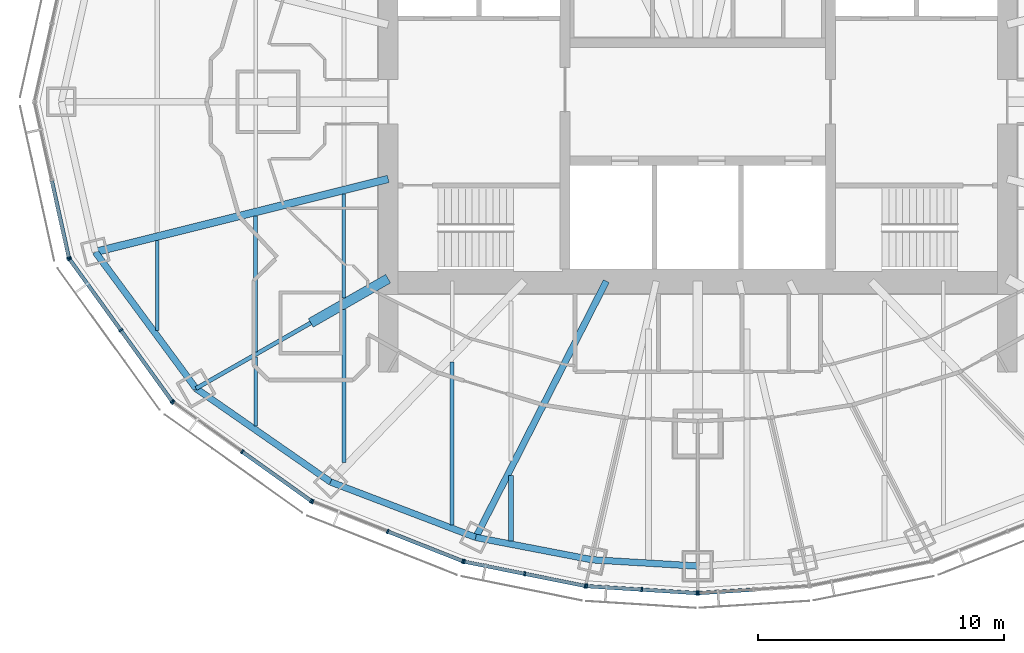
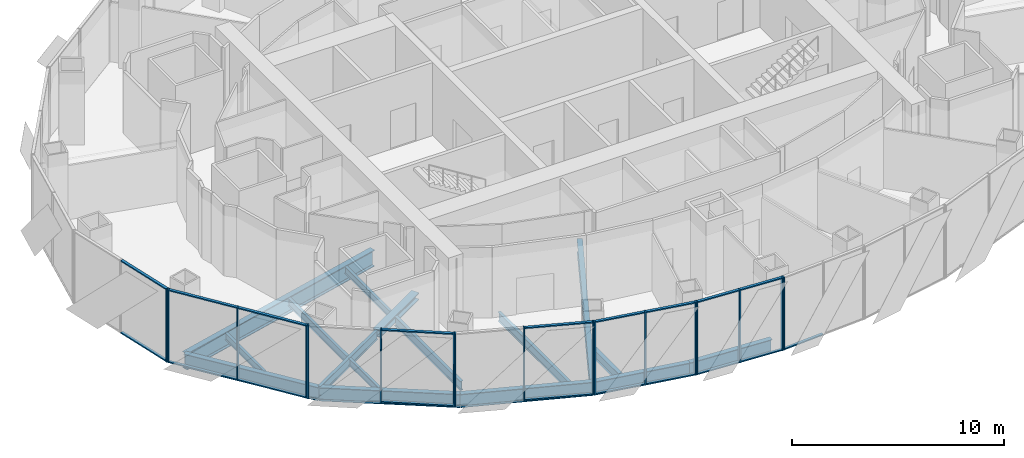
# One storey, part 2 of 19: 36 members, 16 beams, 7 elements without a shape of their own.
"""IFC4 building model written with IfcOpenShell, lengths in metres."""

from ifc_helpers import new_model, si_unit, direction, frame, origin, origin_2d, place, context, subcontext, project, spatial, rectangle, i_section, extrude, material, material_profile, profile_set, type_object, element, aggregate, save


model = new_model("IFC4")

# Units and contexts
model_context = context("Model", 3, precision=1e-05, world=origin(), true_north=direction((0.0, 1.0)))
body_context = subcontext(model_context, "Body", "Model", "MODEL_VIEW")
ifc_project = project(units=[si_unit("LENGTHUNIT", "METRE"), si_unit("AREAUNIT", "SQUARE_METRE"), si_unit("VOLUMEUNIT", "CUBIC_METRE"), si_unit("PLANEANGLEUNIT", "RADIAN"), si_unit("MASSUNIT", "GRAM", prefix="KILO")], contexts=[model_context])

# Site, building, storey
site_placement = place(None, origin())
site = spatial("IfcSite", under=ifc_project, at=site_placement, CompositionType="ELEMENT")
building_placement = place(site_placement, origin())
building = spatial("IfcBuilding", under=site, at=building_placement, Name="Lantaw Convention Tower", CompositionType="ELEMENT")
storey_placement = place(building_placement, frame((0.0, 0.0, 249.39990234375)))
storey = spatial("IfcBuildingStorey", under=building, at=storey_placement, Name="L58", CompositionType="ELEMENT", Elevation=249.39990234375)

# Beams
ifc_material_1 = material(Name="Steel ASTM A992", Category="steel")
ifc_material_profile_1 = material_profile(ifc_material_1, i_section(OverallWidth=0.2666015625, OverallDepth=0.76953125, WebThickness=0.015625, FlangeThickness=0.025390625, FilletRadius=0.0126953125, at=origin_2d()), Name="W30X132")
ifc_profile_set_1 = profile_set([ifc_material_profile_1], Name="Steel ASTM A992")
beam_type_1 = type_object("IfcBeamType", Name="Beam E W30X132", PredefinedType="SPANDREL", material=ifc_profile_set_1)
beam_1_placement = place(storey_placement, frame((-24.52197265625, -6.114013671875, -0.53466796875), z_axis=(0.593639188853, -0.804731329984, 0.0), x_axis=(0.804731329984, 0.593639188853, 0.0)))
element("IfcBeam", 1, at=beam_1_placement, inside=storey, type_object=beam_type_1, Name="Edge beam 14", PredefinedType="SPANDREL", context=body_context, shape_type="SweptSolid", body=[
    extrude(i_section(OverallWidth=0.2666015625, OverallDepth=0.76953125, WebThickness=0.015625, FlangeThickness=0.025390625, FilletRadius=0.0126953125, at=origin_2d()), origin(), (0.0, 0.0, 1.0), 6.904541015625),
])
beam_2_placement = place(storey_placement, frame((-20.423095703125, -11.67041015625, -0.53466796875), z_axis=(0.82135329406, -0.570419815869, 0.0), x_axis=(0.570419815869, 0.82135329406, 0.0)))
element("IfcBeam", 2, at=beam_2_placement, inside=storey, type_object=beam_type_1, Name="Edge beam 15", PredefinedType="SPANDREL", context=body_context, shape_type="SweptSolid", body=[
    extrude(i_section(OverallWidth=0.2666015625, OverallDepth=0.76953125, WebThickness=0.015625, FlangeThickness=0.025390625, FilletRadius=0.0126953125, at=origin_2d()), origin(), (0.0, 0.0, 1.0), 6.67041015625),
])
beam_3_placement = place(storey_placement, frame((-14.9443359375, -15.475341796875, -0.53466796875), z_axis=(0.934234988, -0.356658081637, 0.0), x_axis=(0.356658081637, 0.934234988, 0.0)))
element("IfcBeam", 3, at=beam_3_placement, inside=storey, type_object=beam_type_1, Name="Edge beam 16", PredefinedType="SPANDREL", context=body_context, shape_type="SweptSolid", body=[
    extrude(i_section(OverallWidth=0.2666015625, OverallDepth=0.76953125, WebThickness=0.015625, FlangeThickness=0.025390625, FilletRadius=0.0126953125, at=origin_2d()), origin(), (0.0, 0.0, 1.0), 6.32568359375),
])
beam_4_placement = place(storey_placement, frame((-9.03466796875, -17.7314453125, -0.53466796875), z_axis=(0.981972091702, -0.189025953556, 0.0), x_axis=(0.189025953556, 0.981972091702, 0.0)))
element("IfcBeam", 4, at=beam_4_placement, inside=storey, type_object=beam_type_1, Name="Edge beam 17", PredefinedType="SPANDREL", context=body_context, shape_type="SweptSolid", body=[
    extrude(i_section(OverallWidth=0.2666015625, OverallDepth=0.76953125, WebThickness=0.015625, FlangeThickness=0.025390625, FilletRadius=0.0126953125, at=origin_2d()), origin(), (0.0, 0.0, 1.0), 4.817626953125),
])
beam_5_placement = place(storey_placement, frame((-4.303955078125, -18.64208984375, -0.53466796875), z_axis=(0.998210730897, -0.059794119452, 0.0), x_axis=(0.059794119452, 0.998210730897, 0.0)))
element("IfcBeam", 5, at=beam_5_placement, inside=storey, type_object=beam_type_1, Name="Edge beam 18", PredefinedType="SPANDREL", context=body_context, shape_type="SweptSolid", body=[
    extrude(i_section(OverallWidth=0.2666015625, OverallDepth=0.76953125, WebThickness=0.015625, FlangeThickness=0.025390625, FilletRadius=0.0126953125, at=origin_2d()), origin(), (0.0, 0.0, 1.0), 4.311767578125),
])
ifc_material_profile_2 = material_profile(ifc_material_1, i_section(OverallWidth=0.1650390625, OverallDepth=0.52587890625, WebThickness=0.0087890625, FlangeThickness=0.011474609375, FilletRadius=0.0126953125, at=origin_2d()), Name="W21X44")
ifc_profile_set_2 = profile_set([ifc_material_profile_2], Name="Steel ASTM A992")
beam_type_2 = type_object("IfcBeamType", Name="Beam G W21X44", PredefinedType="BEAM", material=ifc_profile_set_2)
beam_6_placement = place(storey_placement, frame((-15.75, -9.0, -0.412841796875), z_axis=(-0.868237559289, -0.496148708192, 0.0), x_axis=(0.496148708192, -0.868237559289, 0.0)))
element("IfcBeam", 6, at=beam_6_placement, inside=storey, type_object=beam_type_2, Name="Floor girder on ray 15", PredefinedType="BEAM", context=body_context, shape_type="SweptSolid", body=[
    extrude(i_section(OverallWidth=0.1650390625, OverallDepth=0.52587890625, WebThickness=0.0087890625, FlangeThickness=0.011474609375, FilletRadius=0.0126953125, at=origin_2d()), origin(), (0.0, 0.0, 1.0), 5.38232421875),
])
ifc_material_profile_3 = material_profile(ifc_material_1, i_section(OverallWidth=0.2666015625, OverallDepth=0.7568359375, WebThickness=0.013916015625, FlangeThickness=0.019287109375, FilletRadius=0.0126953125, at=origin_2d()), Name="W30X108")
ifc_profile_set_3 = profile_set([ifc_material_profile_3], Name="Steel ASTM A992")
beam_type_3 = type_object("IfcBeamType", Name="Beam G W30X108", PredefinedType="BEAM", material=ifc_profile_set_3)
beam_7_placement = place(storey_placement, frame((-3.719482421875, -7.300048828125, -0.5283203125), z_axis=(-0.4539988787, -0.891002254845, 0.0), x_axis=(0.891002254845, -0.4539988787, 0.0)))
element("IfcBeam", 7, at=beam_7_placement, inside=storey, type_object=beam_type_3, Name="Floor girder on ray 17", PredefinedType="BEAM", context=body_context, shape_type="SweptSolid", body=[
    extrude(i_section(OverallWidth=0.2666015625, OverallDepth=0.7568359375, WebThickness=0.013916015625, FlangeThickness=0.019287109375, FilletRadius=0.0126953125, at=origin_2d()), origin(), (0.0, 0.0, 1.0), 11.70751953125),
])
ifc_material_profile_4 = material_profile(ifc_material_1, i_section(OverallWidth=0.307373046875, OverallDepth=0.9423828125, WebThickness=0.022216796875, FlangeThickness=0.039794921875, FilletRadius=0.0126953125, at=origin_2d()), Name="W36X232")
ifc_profile_set_4 = profile_set([ifc_material_profile_4], Name="Steel ASTM A992")
beam_type_4 = type_object("IfcBeamType", Name="Beam G W36X232", PredefinedType="BEAM", material=ifc_profile_set_4)
beam_8_placement = place(storey_placement, frame((-12.60009765625, -3.1416015625, -0.62109375), z_axis=(-0.970296589314, -0.241918434119, 0.0), x_axis=(0.241918434119, -0.970296589314, 0.0)))
element("IfcBeam", 8, at=beam_8_placement, inside=storey, type_object=beam_type_4, Name="Floor girder on ray 14", PredefinedType="BEAM", context=body_context, shape_type="SweptSolid", body=[
    extrude(i_section(OverallWidth=0.307373046875, OverallDepth=0.9423828125, WebThickness=0.022216796875, FlangeThickness=0.039794921875, FilletRadius=0.0126953125, at=origin_2d()), origin(), (0.0, 0.0, 1.0), 12.286865234375),
])
ifc_material_profile_5 = material_profile(ifc_material_1, i_section(OverallWidth=0.40380859375, OverallDepth=0.406494140625, WebThickness=0.027099609375, FlangeThickness=0.043701171875, FilletRadius=0.01513671875, at=origin_2d()), Name="W14X233")
ifc_profile_set_5 = profile_set([ifc_material_profile_5], Name="Steel ASTM A992")
beam_type_5 = type_object("IfcBeamType", Name="Beam GM W14X233", PredefinedType="BEAM", material=ifc_profile_set_5)
beam_9_placement = place(storey_placement, frame((-12.60009765625, -7.199951171875, -0.35302734375), z_axis=(-0.868230718294, -0.496160679428, 0.0), x_axis=(0.496160679428, -0.868230718294, 0.0)))
element("IfcBeam", 9, at=beam_9_placement, inside=storey, type_object=beam_type_5, Name="Core link beam on ray 15", PredefinedType="BEAM", context=body_context, shape_type="SweptSolid", body=[
    extrude(i_section(OverallWidth=0.40380859375, OverallDepth=0.406494140625, WebThickness=0.027099609375, FlangeThickness=0.043701171875, FilletRadius=0.01513671875, at=origin_2d()), origin(), (0.0, 0.0, 1.0), 3.6279296875),
])
ifc_material_profile_6 = material_profile(ifc_material_1, i_section(OverallWidth=0.140380859375, OverallDepth=0.40380859375, WebThickness=0.007080078125, FlangeThickness=0.01123046875, FilletRadius=0.01025390625, at=origin_2d()), Name="W16X31")
ifc_profile_set_6 = profile_set([ifc_material_profile_6], Name="Steel ASTM A992")
beam_type_6 = type_object("IfcBeamType", Name="Beam J W16X31", PredefinedType="JOIST", material=ifc_profile_set_6)
beam_10_placement = place(storey_placement, frame((-22.0, -9.30810546875, -0.351806640625), z_axis=(0.0, 1.0, 0.0), x_axis=(-1.0, 0.0, 0.0)))
element("IfcBeam", 10, at=beam_10_placement, inside=storey, type_object=beam_type_6, Name="Floor joist", PredefinedType="JOIST", context=body_context, shape_type="SweptSolid", body=[
    extrude(i_section(OverallWidth=0.140380859375, OverallDepth=0.40380859375, WebThickness=0.007080078125, FlangeThickness=0.01123046875, FilletRadius=0.01025390625, at=origin_2d()), origin(), (0.0, 0.0, 1.0), 3.66455078125),
])
beam_11_placement = place(storey_placement, frame((-18.0, -13.19091796875, -0.351806640625), z_axis=(0.0, 1.0, 0.0), x_axis=(-1.0, 0.0, 0.0)))
element("IfcBeam", 11, at=beam_11_placement, inside=storey, type_object=beam_type_6, Name="Floor joist", PredefinedType="JOIST", context=body_context, shape_type="SweptSolid", body=[
    extrude(i_section(OverallWidth=0.140380859375, OverallDepth=0.40380859375, WebThickness=0.007080078125, FlangeThickness=0.01123046875, FilletRadius=0.01025390625, at=origin_2d()), origin(), (0.0, 0.0, 1.0), 2.81005859375),
])
beam_12_placement = place(storey_placement, frame((-14.39990234375, -7.99609375, -0.351806640625), z_axis=(0.0, 1.0, 0.0), x_axis=(-1.0, 0.0, 0.0)))
element("IfcBeam", 12, at=beam_12_placement, inside=storey, type_object=beam_type_6, Name="Floor joist", PredefinedType="JOIST", context=body_context, shape_type="SweptSolid", body=[
    extrude(i_section(OverallWidth=0.140380859375, OverallDepth=0.40380859375, WebThickness=0.007080078125, FlangeThickness=0.01123046875, FilletRadius=0.01025390625, at=origin_2d()), origin(), (0.0, 0.0, 1.0), 4.247314453125),
])
ifc_material_profile_7 = material_profile(ifc_material_1, i_section(OverallWidth=0.15234375, OverallDepth=0.449462890625, WebThickness=0.007568359375, FlangeThickness=0.0107421875, FilletRadius=0.01025390625, at=origin_2d()), Name="W18X35")
ifc_profile_set_7 = profile_set([ifc_material_profile_7], Name="Steel ASTM A992")
beam_type_7 = type_object("IfcBeamType", Name="Beam J W18X35", PredefinedType="JOIST", material=ifc_profile_set_7)
beam_13_placement = place(storey_placement, frame((-18.0, -10.190673828125, -0.374755859375), z_axis=(0.0, 1.0, 0.0), x_axis=(-1.0, 0.0, 0.0)))
element("IfcBeam", 13, at=beam_13_placement, inside=storey, type_object=beam_type_7, Name="Floor joist", PredefinedType="JOIST", context=body_context, shape_type="SweptSolid", body=[
    extrude(i_section(OverallWidth=0.15234375, OverallDepth=0.449462890625, WebThickness=0.007568359375, FlangeThickness=0.0107421875, FilletRadius=0.01025390625, at=origin_2d()), origin(), (0.0, 0.0, 1.0), 5.54443359375),
])
ifc_material_profile_8 = material_profile(ifc_material_1, i_section(OverallWidth=0.1650390625, OverallDepth=0.52587890625, WebThickness=0.0087890625, FlangeThickness=0.011474609375, FilletRadius=0.0126953125, at=origin_2d()), Name="W21X44")
ifc_profile_set_8 = profile_set([ifc_material_profile_8], Name="Steel ASTM A992")
beam_type_8 = type_object("IfcBeamType", Name="Beam J W21X44", PredefinedType="JOIST", material=ifc_profile_set_8)
beam_14_placement = place(storey_placement, frame((-14.39990234375, -14.67578125, -0.412841796875), z_axis=(0.0, 1.0, 0.0), x_axis=(-1.0, 0.0, 0.0)))
element("IfcBeam", 14, at=beam_14_placement, inside=storey, type_object=beam_type_8, Name="Floor joist", PredefinedType="JOIST", context=body_context, shape_type="SweptSolid", body=[
    extrude(i_section(OverallWidth=0.1650390625, OverallDepth=0.52587890625, WebThickness=0.0087890625, FlangeThickness=0.011474609375, FilletRadius=0.0126953125, at=origin_2d()), origin(), (0.0, 0.0, 1.0), 6.214599609375),
])
beam_15_placement = place(storey_placement, frame((-10.0, -17.22021484375, -0.412841796875), z_axis=(0.0, 1.0, 0.0), x_axis=(-1.0, 0.0, 0.0)))
element("IfcBeam", 15, at=beam_15_placement, inside=storey, type_object=beam_type_8, Name="Floor joist", PredefinedType="JOIST", context=body_context, shape_type="SweptSolid", body=[
    extrude(i_section(OverallWidth=0.1650390625, OverallDepth=0.52587890625, WebThickness=0.0087890625, FlangeThickness=0.011474609375, FilletRadius=0.0126953125, at=origin_2d()), origin(), (0.0, 0.0, 1.0), 6.629150390625),
])
ifc_material_profile_9 = material_profile(ifc_material_1, i_section(OverallWidth=0.2099609375, OverallDepth=0.535888671875, WebThickness=0.010986328125, FlangeThickness=0.017333984375, FilletRadius=0.012939453125, at=origin_2d()), Name="W21X68")
ifc_profile_set_9 = profile_set([ifc_material_profile_9], Name="Steel ASTM A992")
beam_type_9 = type_object("IfcBeamType", Name="Beam J W21X68", PredefinedType="JOIST", material=ifc_profile_set_9)
beam_16_placement = place(storey_placement, frame((-7.60009765625, -17.871826171875, -0.41796875), z_axis=(0.0, 1.0, 0.0), x_axis=(-1.0, 0.0, 0.0)))
element("IfcBeam", 16, at=beam_16_placement, inside=storey, type_object=beam_type_9, Name="Floor joist", PredefinedType="JOIST", context=body_context, shape_type="SweptSolid", body=[
    extrude(i_section(OverallWidth=0.2099609375, OverallDepth=0.535888671875, WebThickness=0.010986328125, FlangeThickness=0.017333984375, FilletRadius=0.012939453125, at=origin_2d()), origin(), (0.0, 0.0, 1.0), 2.662353515625),
])

# Curtain wall, member
ifc_material_2 = material(Name="Aluminium framed curtain wall", Category="aluminium")
curtain_wall_type = type_object("IfcCurtainWallType", Name="Office curtain wall high rise, pale aluminium", PredefinedType="USERDEFINED", material=ifc_material_2)
curtain_wall_1_placement = place(storey_placement, origin())
curtain_wall_1 = element("IfcCurtainWall", 17, at=curtain_wall_1_placement, inside=storey, type_object=curtain_wall_type, Name="Office curtain wall high rise, pale aluminium L58", ObjectType="UNITISED CURTAIN WALL", PredefinedType="USERDEFINED")
ifc_material_3 = material(Name="Aluminium 6063-T6", Category="aluminium")
ifc_material_profile_10 = material_profile(ifc_material_3, rectangle(XDim=0.179931640625, YDim=0.06494140625, at=origin_2d()), Name="CW-O2 mullion 65x180")
ifc_profile_set_10 = profile_set([ifc_material_profile_10], Name="Aluminium 6063-T6")
member_type_1 = type_object("IfcMemberType", Name="CW-O2 mullion 65x180", PredefinedType="MULLION", material=ifc_profile_set_10)
member_1_placement = place(storey_placement, frame((-25.596435546875, -6.348388671875, -0.14990234375), z_axis=(0.0, 0.0, 1.0), x_axis=(0.976417396437, 0.215891333626, 0.0)))
member_1 = element("IfcMember", 18, at=member_1_placement, type_object=member_type_1, Name="CW-O2 mullion 3", PredefinedType="MULLION", context=body_context, shape_type="SweptSolid", body=[
    extrude(rectangle(XDim=0.179931640625, YDim=0.06494140625, at=origin_2d()), origin(), (0.0, 0.0, 1.0), 4.199951171875),
])

# Curtain wall, members
curtain_wall_2_placement = place(storey_placement, origin())
curtain_wall_2 = element("IfcCurtainWall", 19, at=curtain_wall_2_placement, inside=storey, type_object=curtain_wall_type, Name="Office curtain wall high rise, pale aluminium L58", ObjectType="UNITISED CURTAIN WALL", PredefinedType="USERDEFINED")
member_2_placement = place(storey_placement, frame((-25.5703125, -6.406494140625, -0.14990234375), z_axis=(0.0, 0.0, 1.0), x_axis=(0.810919559405, 0.585157643865, 0.0)))
member_2 = element("IfcMember", 20, at=member_2_placement, type_object=member_type_1, Name="CW-O2 mullion 1", PredefinedType="MULLION", context=body_context, shape_type="SweptSolid", body=[
    extrude(rectangle(XDim=0.179931640625, YDim=0.06494140625, at=origin_2d()), origin(), (0.0, 0.0, 1.0), 4.199951171875),
])
member_3_placement = place(storey_placement, frame((-23.483642578125, -9.298095703125, -0.14990234375), z_axis=(0.0, 0.0, 1.0), x_axis=(0.810919559405, 0.585157643865, 0.0)))
member_3 = element("IfcMember", 21, at=member_3_placement, type_object=member_type_1, Name="CW-O2 mullion 2", PredefinedType="MULLION", context=body_context, shape_type="SweptSolid", body=[
    extrude(rectangle(XDim=0.179931640625, YDim=0.06494140625, at=origin_2d()), origin(), (0.0, 0.0, 1.0), 4.199951171875),
])
member_4_placement = place(storey_placement, frame((-21.397216796875, -12.189697265625, -0.14990234375), z_axis=(0.0, 0.0, 1.0), x_axis=(0.810919559405, 0.585157643865, 0.0)))
member_4 = element("IfcMember", 22, at=member_4_placement, type_object=member_type_1, Name="CW-O2 mullion 3", PredefinedType="MULLION", context=body_context, shape_type="SweptSolid", body=[
    extrude(rectangle(XDim=0.179931640625, YDim=0.06494140625, at=origin_2d()), origin(), (0.0, 0.0, 1.0), 4.199951171875),
])

curtain_wall_3_placement = place(storey_placement, origin())
curtain_wall_3 = element("IfcCurtainWall", 23, at=curtain_wall_3_placement, inside=storey, type_object=curtain_wall_type, Name="Office curtain wall high rise, pale aluminium L58", ObjectType="UNITISED CURTAIN WALL", PredefinedType="USERDEFINED")
member_5_placement = place(storey_placement, frame((-21.3515625, -12.23486328125, -0.14990234375), z_axis=(0.0, 0.0, 1.0), x_axis=(0.581323487281, 0.813672540482, 0.0)))
member_5 = element("IfcMember", 24, at=member_5_placement, type_object=member_type_1, Name="CW-O2 mullion 1", PredefinedType="MULLION", context=body_context, shape_type="SweptSolid", body=[
    extrude(rectangle(XDim=0.179931640625, YDim=0.06494140625, at=origin_2d()), origin(), (0.0, 0.0, 1.0), 4.199951171875),
])
member_6_placement = place(storey_placement, frame((-18.543212890625, -14.241455078125, -0.14990234375), z_axis=(0.0, 0.0, 1.0), x_axis=(0.581323487281, 0.813672540482, 0.0)))
member_6 = element("IfcMember", 25, at=member_6_placement, type_object=member_type_1, Name="CW-O2 mullion 2", PredefinedType="MULLION", context=body_context, shape_type="SweptSolid", body=[
    extrude(rectangle(XDim=0.179931640625, YDim=0.06494140625, at=origin_2d()), origin(), (0.0, 0.0, 1.0), 4.199951171875),
])
member_7_placement = place(storey_placement, frame((-15.73486328125, -16.247802734375, -0.14990234375), z_axis=(0.0, 0.0, 1.0), x_axis=(0.581323487281, 0.813672540482, 0.0)))
member_7 = element("IfcMember", 26, at=member_7_placement, type_object=member_type_1, Name="CW-O2 mullion 3", PredefinedType="MULLION", context=body_context, shape_type="SweptSolid", body=[
    extrude(rectangle(XDim=0.179931640625, YDim=0.06494140625, at=origin_2d()), origin(), (0.0, 0.0, 1.0), 4.199951171875),
])

curtain_wall_4_placement = place(storey_placement, origin())
curtain_wall_4 = element("IfcCurtainWall", 27, at=curtain_wall_4_placement, inside=storey, type_object=curtain_wall_type, Name="Office curtain wall high rise, pale aluminium L58", ObjectType="UNITISED CURTAIN WALL", PredefinedType="USERDEFINED")
member_8_placement = place(storey_placement, frame((-15.67822265625, -16.278564453125, -0.14990234375), z_axis=(0.0, 0.0, 1.0), x_axis=(0.368162315252, 0.929761533743, 0.0)))
member_8 = element("IfcMember", 28, at=member_8_placement, type_object=member_type_1, Name="CW-O2 mullion 1", PredefinedType="MULLION", context=body_context, shape_type="SweptSolid", body=[
    extrude(rectangle(XDim=0.179931640625, YDim=0.06494140625, at=origin_2d()), origin(), (0.0, 0.0, 1.0), 4.199951171875),
])
member_9_placement = place(storey_placement, frame((-12.621337890625, -17.4892578125, -0.14990234375), z_axis=(0.0, 0.0, 1.0), x_axis=(0.368162315252, 0.929761533743, 0.0)))
member_9 = element("IfcMember", 29, at=member_9_placement, type_object=member_type_1, Name="CW-O2 mullion 2", PredefinedType="MULLION", context=body_context, shape_type="SweptSolid", body=[
    extrude(rectangle(XDim=0.179931640625, YDim=0.06494140625, at=origin_2d()), origin(), (0.0, 0.0, 1.0), 4.199951171875),
])
member_10_placement = place(storey_placement, frame((-9.564208984375, -18.69970703125, -0.14990234375), z_axis=(0.0, 0.0, 1.0), x_axis=(0.368162315252, 0.929761533743, 0.0)))
member_10 = element("IfcMember", 30, at=member_10_placement, type_object=member_type_1, Name="CW-O2 mullion 3", PredefinedType="MULLION", context=body_context, shape_type="SweptSolid", body=[
    extrude(rectangle(XDim=0.179931640625, YDim=0.06494140625, at=origin_2d()), origin(), (0.0, 0.0, 1.0), 4.199951171875),
])

curtain_wall_5_placement = place(storey_placement, origin())
curtain_wall_5 = element("IfcCurtainWall", 31, at=curtain_wall_5_placement, inside=storey, type_object=curtain_wall_type, Name="Office curtain wall high rise, pale aluminium L58", ObjectType="UNITISED CURTAIN WALL", PredefinedType="USERDEFINED")
member_11_placement = place(storey_placement, frame((-9.502197265625, -18.718017578125, -0.14990234375), z_axis=(0.0, 0.0, 1.0), x_axis=(0.197183095987, 0.980366679695, 0.0)))
member_11 = element("IfcMember", 32, at=member_11_placement, type_object=member_type_1, Name="CW-O2 mullion 1", PredefinedType="MULLION", context=body_context, shape_type="SweptSolid", body=[
    extrude(rectangle(XDim=0.179931640625, YDim=0.06494140625, at=origin_2d()), origin(), (0.0, 0.0, 1.0), 4.199951171875),
])
member_12_placement = place(storey_placement, frame((-7.042724609375, -19.212646484375, -0.14990234375), z_axis=(0.0, 0.0, 1.0), x_axis=(0.197183095987, 0.980366679695, 0.0)))
member_12 = element("IfcMember", 33, at=member_12_placement, type_object=member_type_1, Name="CW-O2 mullion 2", PredefinedType="MULLION", context=body_context, shape_type="SweptSolid", body=[
    extrude(rectangle(XDim=0.179931640625, YDim=0.06494140625, at=origin_2d()), origin(), (0.0, 0.0, 1.0), 4.199951171875),
])
member_13_placement = place(storey_placement, frame((-4.583251953125, -19.70751953125, -0.14990234375), z_axis=(0.0, 0.0, 1.0), x_axis=(0.197183095987, 0.980366679695, 0.0)))
member_13 = element("IfcMember", 34, at=member_13_placement, type_object=member_type_1, Name="CW-O2 mullion 3", PredefinedType="MULLION", context=body_context, shape_type="SweptSolid", body=[
    extrude(rectangle(XDim=0.179931640625, YDim=0.06494140625, at=origin_2d()), origin(), (0.0, 0.0, 1.0), 4.199951171875),
])

curtain_wall_6_placement = place(storey_placement, origin())
curtain_wall_6 = element("IfcCurtainWall", 35, at=curtain_wall_6_placement, inside=storey, type_object=curtain_wall_type, Name="Office curtain wall high rise, pale aluminium L58", ObjectType="UNITISED CURTAIN WALL", PredefinedType="USERDEFINED")
member_14_placement = place(storey_placement, frame((-4.518798828125, -19.7158203125, -0.14990234375), z_axis=(0.0, 0.0, 1.0), x_axis=(0.062757983884, 0.998028774865, 0.0)))
member_14 = element("IfcMember", 36, at=member_14_placement, type_object=member_type_1, Name="CW-O2 mullion 1", PredefinedType="MULLION", context=body_context, shape_type="SweptSolid", body=[
    extrude(rectangle(XDim=0.179931640625, YDim=0.06494140625, at=origin_2d()), origin(), (0.0, 0.0, 1.0), 4.199951171875),
])
member_15_placement = place(storey_placement, frame((-2.275634765625, -19.85693359375, -0.14990234375), z_axis=(0.0, 0.0, 1.0), x_axis=(0.062757983884, 0.998028774865, 0.0)))
member_15 = element("IfcMember", 37, at=member_15_placement, type_object=member_type_1, Name="CW-O2 mullion 2", PredefinedType="MULLION", context=body_context, shape_type="SweptSolid", body=[
    extrude(rectangle(XDim=0.179931640625, YDim=0.06494140625, at=origin_2d()), origin(), (0.0, 0.0, 1.0), 4.199951171875),
])
member_16_placement = place(storey_placement, frame((-0.032470703125, -19.998046875, -0.14990234375), z_axis=(0.0, 0.0, 1.0), x_axis=(0.062757983884, 0.998028774865, 0.0)))
member_16 = element("IfcMember", 38, at=member_16_placement, type_object=member_type_1, Name="CW-O2 mullion 3", PredefinedType="MULLION", context=body_context, shape_type="SweptSolid", body=[
    extrude(rectangle(XDim=0.179931640625, YDim=0.06494140625, at=origin_2d()), origin(), (0.0, 0.0, 1.0), 4.199951171875),
])

# Curtain wall, member
curtain_wall_7_placement = place(storey_placement, origin())
curtain_wall_7 = element("IfcCurtainWall", 39, at=curtain_wall_7_placement, inside=storey, type_object=curtain_wall_type, Name="Office curtain wall high rise, pale aluminium L58", ObjectType="UNITISED CURTAIN WALL", PredefinedType="USERDEFINED")
member_17_placement = place(storey_placement, frame((0.032470703125, -19.998046875, -0.14990234375), z_axis=(0.0, 0.0, 1.0), x_axis=(-0.062757983884, 0.998028774865, 0.0)))
member_17 = element("IfcMember", 40, at=member_17_placement, type_object=member_type_1, Name="CW-O2 mullion 1", PredefinedType="MULLION", context=body_context, shape_type="SweptSolid", body=[
    extrude(rectangle(XDim=0.179931640625, YDim=0.06494140625, at=origin_2d()), origin(), (0.0, 0.0, 1.0), 4.199951171875),
])

# Member
ifc_material_profile_11 = material_profile(ifc_material_3, rectangle(XDim=0.14990234375, YDim=0.06494140625, at=origin_2d()), Name="CW-O2 transom 65x150")
ifc_profile_set_11 = profile_set([ifc_material_profile_11], Name="Aluminium 6063-T6")
member_type_2 = type_object("IfcMemberType", Name="CW-O2 transom 65x150", PredefinedType="USERDEFINED", material=ifc_profile_set_11)
member_18_placement = place(storey_placement, frame((-26.28759765625, -3.2216796875, -0.117431640625), z_axis=(0.215894607042, -0.976416672661, 0.0), x_axis=(0.976416672661, 0.215894607042, 0.0)))
member_18 = element("IfcMember", 41, at=member_18_placement, type_object=member_type_2, Name="CW-O2 transom 2.1", ObjectType="TRANSOM", PredefinedType="USERDEFINED", context=body_context, shape_type="SweptSolid", body=[
    extrude(rectangle(XDim=0.14990234375, YDim=0.06494140625, at=origin_2d()), origin(), (0.0, 0.0, 1.0), 3.169677734375),
])

member_19_placement = place(storey_placement, frame((-26.28759765625, -3.2216796875, 4.017578125), z_axis=(0.215894607042, -0.976416672661, 0.0), x_axis=(0.976416672661, 0.215894607042, 0.0)))
member_19 = element("IfcMember", 42, at=member_19_placement, type_object=member_type_2, Name="CW-O2 transom 2.2", ObjectType="TRANSOM", PredefinedType="USERDEFINED", context=body_context, shape_type="SweptSolid", body=[
    extrude(rectangle(XDim=0.14990234375, YDim=0.06494140625, at=origin_2d()), origin(), (0.0, 0.0, 1.0), 3.169677734375),
])

aggregate(curtain_wall_1, [member_1, member_18, member_19])

member_20_placement = place(storey_placement, frame((-25.55126953125, -6.432861328125, -0.117431640625), z_axis=(0.585169685931, -0.810910869743, 0.0), x_axis=(0.810910869743, 0.585169685931, 0.0)))
member_20 = element("IfcMember", 43, at=member_20_placement, type_object=member_type_2, Name="CW-O2 transom 1.1", ObjectType="TRANSOM", PredefinedType="USERDEFINED", context=body_context, shape_type="SweptSolid", body=[
    extrude(rectangle(XDim=0.14990234375, YDim=0.06494140625, at=origin_2d()), origin(), (0.0, 0.0, 1.0), 3.500732421875),
])

member_21_placement = place(storey_placement, frame((-25.55126953125, -6.432861328125, 4.017578125), z_axis=(0.585169685931, -0.810910869743, 0.0), x_axis=(0.810910869743, 0.585169685931, 0.0)))
member_21 = element("IfcMember", 44, at=member_21_placement, type_object=member_type_2, Name="CW-O2 transom 1.2", ObjectType="TRANSOM", PredefinedType="USERDEFINED", context=body_context, shape_type="SweptSolid", body=[
    extrude(rectangle(XDim=0.14990234375, YDim=0.06494140625, at=origin_2d()), origin(), (0.0, 0.0, 1.0), 3.500732421875),
])

member_22_placement = place(storey_placement, frame((-23.464599609375, -9.324462890625, -0.117431640625), z_axis=(0.585123825205, -0.810943961798, 0.0), x_axis=(0.810943961798, 0.585123825205, 0.0)))
member_22 = element("IfcMember", 45, at=member_22_placement, type_object=member_type_2, Name="CW-O2 transom 2.1", ObjectType="TRANSOM", PredefinedType="USERDEFINED", context=body_context, shape_type="SweptSolid", body=[
    extrude(rectangle(XDim=0.14990234375, YDim=0.06494140625, at=origin_2d()), origin(), (0.0, 0.0, 1.0), 3.500732421875),
])

member_23_placement = place(storey_placement, frame((-23.464599609375, -9.324462890625, 4.017578125), z_axis=(0.585123825205, -0.810943961798, 0.0), x_axis=(0.810943961798, 0.585123825205, 0.0)))
member_23 = element("IfcMember", 46, at=member_23_placement, type_object=member_type_2, Name="CW-O2 transom 2.2", ObjectType="TRANSOM", PredefinedType="USERDEFINED", context=body_context, shape_type="SweptSolid", body=[
    extrude(rectangle(XDim=0.14990234375, YDim=0.06494140625, at=origin_2d()), origin(), (0.0, 0.0, 1.0), 3.500732421875),
])

aggregate(curtain_wall_2, [member_2, member_3, member_4, member_20, member_21, member_22, member_23])

member_24_placement = place(storey_placement, frame((-18.516845703125, -14.26025390625, -0.117431640625), z_axis=(0.813645780821, -0.581360940683, 0.0), x_axis=(0.581360940683, 0.813645780821, 0.0)))
member_24 = element("IfcMember", 47, at=member_24_placement, type_object=member_type_2, Name="CW-O2 transom 2.1", ObjectType="TRANSOM", PredefinedType="USERDEFINED", context=body_context, shape_type="SweptSolid", body=[
    extrude(rectangle(XDim=0.14990234375, YDim=0.06494140625, at=origin_2d()), origin(), (0.0, 0.0, 1.0), 3.386474609375),
])

member_25_placement = place(storey_placement, frame((-18.516845703125, -14.26025390625, 4.017578125), z_axis=(0.813645780821, -0.581360940683, 0.0), x_axis=(0.581360940683, 0.813645780821, 0.0)))
member_25 = element("IfcMember", 48, at=member_25_placement, type_object=member_type_2, Name="CW-O2 transom 2.2", ObjectType="TRANSOM", PredefinedType="USERDEFINED", context=body_context, shape_type="SweptSolid", body=[
    extrude(rectangle(XDim=0.14990234375, YDim=0.06494140625, at=origin_2d()), origin(), (0.0, 0.0, 1.0), 3.386474609375),
])

aggregate(curtain_wall_3, [member_5, member_6, member_7, member_24, member_25])

member_26_placement = place(storey_placement, frame((-12.591064453125, -17.501220703125, -0.117431640625), z_axis=(0.929766642946, -0.368149412149, 0.0), x_axis=(0.368149412149, 0.929766642946, 0.0)))
member_26 = element("IfcMember", 49, at=member_26_placement, type_object=member_type_2, Name="CW-O2 transom 2.1", ObjectType="TRANSOM", PredefinedType="USERDEFINED", context=body_context, shape_type="SweptSolid", body=[
    extrude(rectangle(XDim=0.14990234375, YDim=0.06494140625, at=origin_2d()), origin(), (0.0, 0.0, 1.0), 3.222900390625),
])

member_27_placement = place(storey_placement, frame((-12.591064453125, -17.501220703125, 4.017578125), z_axis=(0.929766642946, -0.368149412149, 0.0), x_axis=(0.368149412149, 0.929766642946, 0.0)))
member_27 = element("IfcMember", 50, at=member_27_placement, type_object=member_type_2, Name="CW-O2 transom 2.2", ObjectType="TRANSOM", PredefinedType="USERDEFINED", context=body_context, shape_type="SweptSolid", body=[
    extrude(rectangle(XDim=0.14990234375, YDim=0.06494140625, at=origin_2d()), origin(), (0.0, 0.0, 1.0), 3.222900390625),
])

aggregate(curtain_wall_4, [member_8, member_9, member_10, member_26, member_27])

member_28_placement = place(storey_placement, frame((-9.47021484375, -18.724365234375, -0.117431640625), z_axis=(0.98036104319, -0.197211117829, 0.0), x_axis=(0.197211117829, 0.98036104319, 0.0)))
member_28 = element("IfcMember", 51, at=member_28_placement, type_object=member_type_2, Name="CW-O2 transom 1.1", ObjectType="TRANSOM", PredefinedType="USERDEFINED", context=body_context, shape_type="SweptSolid", body=[
    extrude(rectangle(XDim=0.14990234375, YDim=0.06494140625, at=origin_2d()), origin(), (0.0, 0.0, 1.0), 2.44384765625),
])

member_29_placement = place(storey_placement, frame((-9.47021484375, -18.724365234375, 4.017578125), z_axis=(0.98036104319, -0.197211117829, 0.0), x_axis=(0.197211117829, 0.98036104319, 0.0)))
member_29 = element("IfcMember", 52, at=member_29_placement, type_object=member_type_2, Name="CW-O2 transom 1.2", ObjectType="TRANSOM", PredefinedType="USERDEFINED", context=body_context, shape_type="SweptSolid", body=[
    extrude(rectangle(XDim=0.14990234375, YDim=0.06494140625, at=origin_2d()), origin(), (0.0, 0.0, 1.0), 2.44384765625),
])

member_30_placement = place(storey_placement, frame((-7.0107421875, -19.21923828125, -0.117431640625), z_axis=(0.980380354178, -0.197115096178, 0.0), x_axis=(0.197115096178, 0.980380354178, 0.0)))
member_30 = element("IfcMember", 53, at=member_30_placement, type_object=member_type_2, Name="CW-O2 transom 2.1", ObjectType="TRANSOM", PredefinedType="USERDEFINED", context=body_context, shape_type="SweptSolid", body=[
    extrude(rectangle(XDim=0.14990234375, YDim=0.06494140625, at=origin_2d()), origin(), (0.0, 0.0, 1.0), 2.443603515625),
])

member_31_placement = place(storey_placement, frame((-7.0107421875, -19.21923828125, 4.017578125), z_axis=(0.980380354178, -0.197115096178, 0.0), x_axis=(0.197115096178, 0.980380354178, 0.0)))
member_31 = element("IfcMember", 54, at=member_31_placement, type_object=member_type_2, Name="CW-O2 transom 2.2", ObjectType="TRANSOM", PredefinedType="USERDEFINED", context=body_context, shape_type="SweptSolid", body=[
    extrude(rectangle(XDim=0.14990234375, YDim=0.06494140625, at=origin_2d()), origin(), (0.0, 0.0, 1.0), 2.443603515625),
])

aggregate(curtain_wall_5, [member_11, member_12, member_13, member_28, member_29, member_30, member_31])

member_32_placement = place(storey_placement, frame((-4.486328125, -19.7177734375, -0.117431640625), z_axis=(0.998021991509, -0.062865765437, 0.0), x_axis=(0.062865765437, 0.998021991509, 0.0)))
member_32 = element("IfcMember", 55, at=member_32_placement, type_object=member_type_2, Name="CW-O2 transom 1.1", ObjectType="TRANSOM", PredefinedType="USERDEFINED", context=body_context, shape_type="SweptSolid", body=[
    extrude(rectangle(XDim=0.14990234375, YDim=0.06494140625, at=origin_2d()), origin(), (0.0, 0.0, 1.0), 2.1826171875),
])

member_33_placement = place(storey_placement, frame((-4.486328125, -19.7177734375, 4.017578125), z_axis=(0.998021991509, -0.062865765437, 0.0), x_axis=(0.062865765437, 0.998021991509, 0.0)))
member_33 = element("IfcMember", 56, at=member_33_placement, type_object=member_type_2, Name="CW-O2 transom 1.2", ObjectType="TRANSOM", PredefinedType="USERDEFINED", context=body_context, shape_type="SweptSolid", body=[
    extrude(rectangle(XDim=0.14990234375, YDim=0.06494140625, at=origin_2d()), origin(), (0.0, 0.0, 1.0), 2.1826171875),
])

member_34_placement = place(storey_placement, frame((-2.2431640625, -19.85888671875, -0.117431640625), z_axis=(0.998029003644, -0.062754345555, 0.0), x_axis=(0.062754345555, 0.998029003644, 0.0)))
member_34 = element("IfcMember", 57, at=member_34_placement, type_object=member_type_2, Name="CW-O2 transom 2.1", ObjectType="TRANSOM", PredefinedType="USERDEFINED", context=body_context, shape_type="SweptSolid", body=[
    extrude(rectangle(XDim=0.14990234375, YDim=0.06494140625, at=origin_2d()), origin(), (0.0, 0.0, 1.0), 2.1826171875),
])

member_35_placement = place(storey_placement, frame((-2.2431640625, -19.85888671875, 4.017578125), z_axis=(0.998029003644, -0.062754345555, 0.0), x_axis=(0.062754345555, 0.998029003644, 0.0)))
member_35 = element("IfcMember", 58, at=member_35_placement, type_object=member_type_2, Name="CW-O2 transom 2.2", ObjectType="TRANSOM", PredefinedType="USERDEFINED", context=body_context, shape_type="SweptSolid", body=[
    extrude(rectangle(XDim=0.14990234375, YDim=0.06494140625, at=origin_2d()), origin(), (0.0, 0.0, 1.0), 2.1826171875),
])

aggregate(curtain_wall_6, [member_14, member_15, member_16, member_32, member_33, member_34, member_35])

member_36_placement = place(storey_placement, frame((0.06494140625, -19.995849609375, -0.117431640625), z_axis=(0.998029003644, 0.062754345555, 0.0), x_axis=(-0.062754345555, 0.998029003644, 0.0)))
member_36 = element("IfcMember", 59, at=member_36_placement, type_object=member_type_2, Name="CW-O2 transom 1.1", ObjectType="TRANSOM", PredefinedType="USERDEFINED", context=body_context, shape_type="SweptSolid", body=[
    extrude(rectangle(XDim=0.14990234375, YDim=0.06494140625, at=origin_2d()), origin(), (0.0, 0.0, 1.0), 2.1826171875),
])

aggregate(curtain_wall_7, [member_17, member_36])

save(model, "model.ifc")
